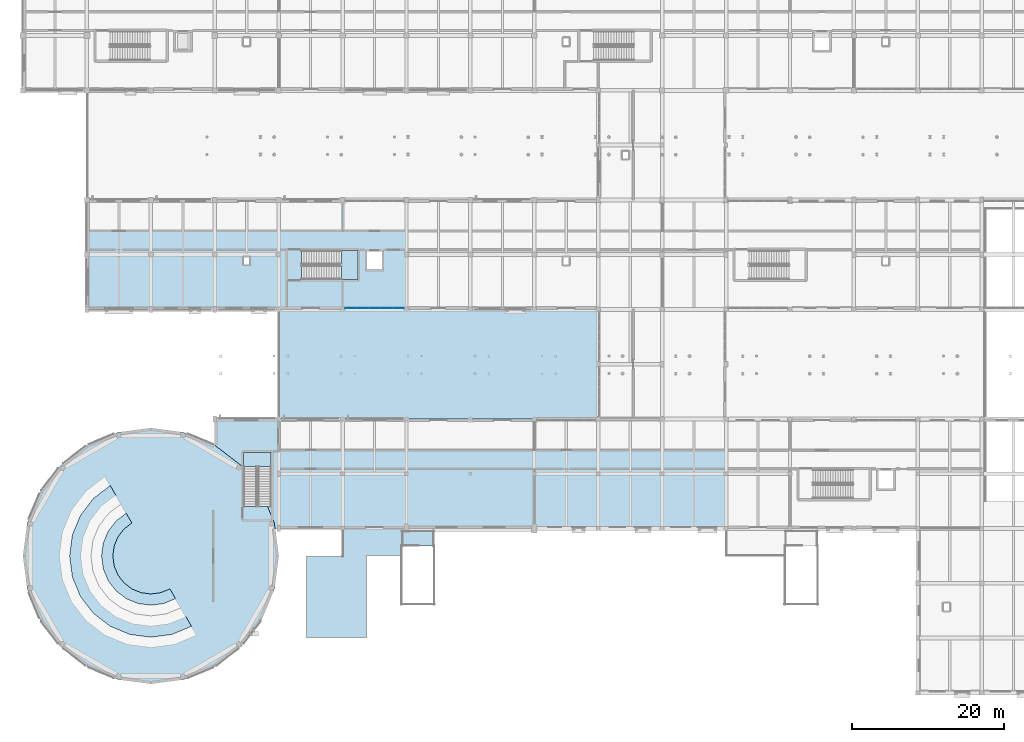
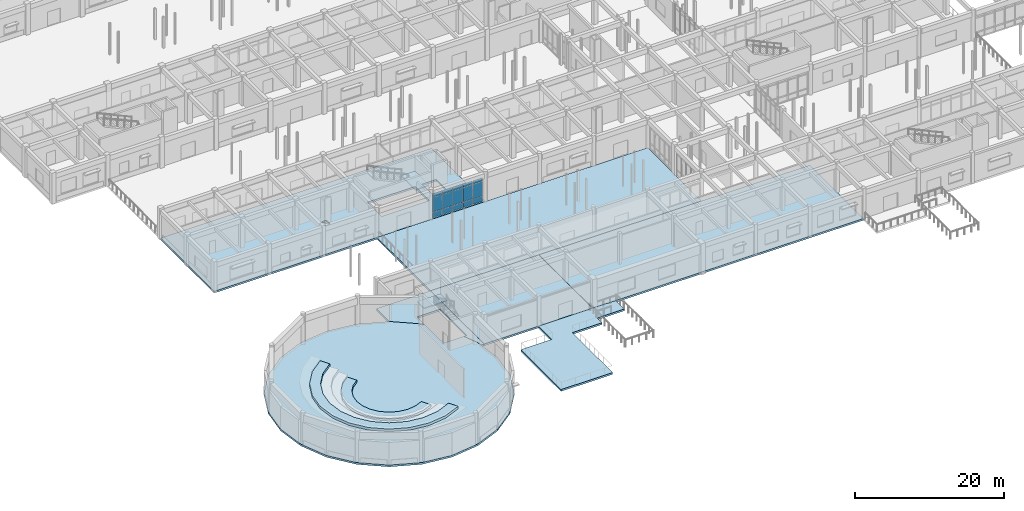
# One storey, part 64 of 121: 15 plates, 11 slabs, 3 elements without a shape of their own.
"""IFC4 building model written with IfcOpenShell, lengths in metres."""

import ifcopenshell
import ifcopenshell.guid

model = None  # the IFC model being written
_history = None  # IfcOwnerHistory: only IFC2X3 demands one
_inside = {}  # id of a spatial element -> (the spatial element, [elements in it])
_under = {}  # id of a project, library or spatial element -> (it, [spatial elements below it])
_declared = {}  # id of a project -> (the project, [libraries it declares])
_typed = {}  # id of a type object -> (the type object, [elements of that type])
_made_of = {}  # id of a material, layer set ... -> (it, [elements and type objects made of it])


def new_model(schema):
    """Start an empty IFC model of exactly this schema.

    Asked for "IFC4X3", IfcOpenShell would pick the latest addendum, in which some entities
    have other attributes; the version numbers below select the first issue.
    IFC2X3 requires an IfcOwnerHistory on every rooted entity: one is made here for all.
    """
    global model, _history
    if schema == "IFC4X3":
        model = ifcopenshell.file(schema_version=(4, 3, 0, 0))
    else:
        model = ifcopenshell.file(schema=schema)
    _inside.clear()
    _under.clear()
    _declared.clear()
    _typed.clear()
    _made_of.clear()
    _history = None
    if model.schema == "IFC2X3":
        org = make("IfcOrganization", Name="unknown")
        user = make(
            "IfcPersonAndOrganization",
            ThePerson=make("IfcPerson", FamilyName="unknown"),
            TheOrganization=org,
        )
        app = make(
            "IfcApplication",
            ApplicationDeveloper=org,
            Version="unknown",
            ApplicationFullName="unknown",
            ApplicationIdentifier="unknown",
        )
        _history = make(
            "IfcOwnerHistory",
            OwningUser=user,
            OwningApplication=app,
            ChangeAction="ADDED",
            CreationDate=0,
        )
    return model


def make(cls, **values):
    """One entity of the class cls with the attributes given. An attribute that is None is left unset."""
    return model.create_entity(
        cls, **{name: value for name, value in values.items() if value is not None}
    )


def rooted(cls, **values):
    """An entity with a GlobalId (a new one), such as an element, a storey or a relation."""
    return make(cls, GlobalId=ifcopenshell.guid.new(), OwnerHistory=_history, **values)


def si_unit(unit_type, name, prefix=None):
    """IfcSIUnit, for example si_unit("LENGTHUNIT", "METRE", prefix="MILLI")."""
    return make("IfcSIUnit", UnitType=unit_type, Prefix=prefix, Name=name)


def assignment(units):
    """IfcUnitAssignment: the units of a project."""
    return None if units is None else make("IfcUnitAssignment", Units=units)


def point(xyz):
    """IfcCartesianPoint."""
    return None if xyz is None else make("IfcCartesianPoint", Coordinates=xyz)


def direction(xyz):
    """IfcDirection."""
    return None if xyz is None else make("IfcDirection", DirectionRatios=xyz)


def frame(location, z_axis=None, x_axis=None):
    """IfcAxis2Placement3D, a coordinate frame: its origin and axes. An axis left out is left unset."""
    return make(
        "IfcAxis2Placement3D",
        Location=point(location),
        Axis=direction(z_axis),
        RefDirection=direction(x_axis),
    )


def frame_2d(location, x_axis=None):
    """IfcAxis2Placement2D, a coordinate frame in the plane: its origin and x axis."""
    return make(
        "IfcAxis2Placement2D", Location=point(location), RefDirection=direction(x_axis)
    )


def origin():
    """The frame at (0, 0, 0) with its axes left unset."""
    return frame((0.0, 0.0, 0.0))


def origin_2d():
    """The frame at (0, 0) in the plane with its x axis left unset."""
    return frame_2d((0.0, 0.0))


def place(relative_to, where):
    """IfcLocalPlacement: puts the frame where relative to a parent placement (None: the world)."""
    return make(
        "IfcLocalPlacement", PlacementRelTo=relative_to, RelativePlacement=where
    )


def context(
    kind, dimensions, precision=None, world=None, true_north=None, identifier=None
):
    """IfcGeometricRepresentationContext, for example the 3D "Model" context."""
    return make(
        "IfcGeometricRepresentationContext",
        ContextIdentifier=identifier,
        ContextType=kind,
        CoordinateSpaceDimension=dimensions,
        Precision=precision,
        WorldCoordinateSystem=world,
        TrueNorth=true_north,
    )


def subcontext(parent, identifier, kind, view, scale=None):
    """IfcGeometricRepresentationSubContext, for example "Body" below "Model"."""
    return make(
        "IfcGeometricRepresentationSubContext",
        ContextIdentifier=identifier,
        ContextType=kind,
        ParentContext=parent,
        TargetScale=scale,
        TargetView=view,
    )


def project(units=None, contexts=None):
    """IfcProject with its units and contexts."""
    return rooted(
        "IfcProject",
        Name="project",
        RepresentationContexts=contexts,
        UnitsInContext=assignment(units),
    )


def spatial(cls, under=None, at=None, **own):
    """A site, building, storey or space (cls), placed at a placement, below another one or the project."""
    s = rooted(cls, ObjectPlacement=at, **own)
    if under is not None:
        _under.setdefault(under.id(), (under, []))[1].append(s)
    return s


def polyline(points):
    """IfcPolyline through the points."""
    return make("IfcPolyline", Points=[point(p) for p in points])


def profile(cls, at=None, kind="AREA", **sizes):
    """A parametric profile (cls). Its sizes go by their IFC names, for example OverallWidth=200.0."""
    return make(cls, ProfileType=kind, Position=at, **sizes)


def rectangle(**sizes):
    """IfcRectangleProfileDef."""
    return profile("IfcRectangleProfileDef", **sizes)


def outline(outer, holes=None, kind="AREA"):
    """IfcArbitraryClosedProfileDef: a profile drawn as a closed curve; with holes, ...WithVoids."""
    if holes is None:
        return make("IfcArbitraryClosedProfileDef", ProfileType=kind, OuterCurve=outer)
    return make(
        "IfcArbitraryProfileDefWithVoids",
        ProfileType=kind,
        OuterCurve=outer,
        InnerCurves=holes,
    )


def extrude(swept, where, along, depth):
    """IfcExtrudedAreaSolid: the profile swept, set in the frame where, extruded along a direction by depth."""
    return make(
        "IfcExtrudedAreaSolid",
        SweptArea=swept,
        Position=where,
        ExtrudedDirection=direction(along),
        Depth=depth,
    )


def shape(context_of_items, identifier, shape_type, items):
    """IfcShapeRepresentation: the items that make up one representation, for example the "Body"."""
    return make(
        "IfcShapeRepresentation",
        ContextOfItems=context_of_items,
        RepresentationIdentifier=identifier,
        RepresentationType=shape_type,
        Items=items,
    )


def material(Name=None, Category=None):
    """IfcMaterial."""
    return make("IfcMaterial", Name=Name, Category=Category)


def layer(
    of_material, thickness, ventilated=None, Name=None, Category=None, Priority=None
):
    """IfcMaterialLayer: one layer of a wall or slab, of a material (None: an air gap)."""
    return make(
        "IfcMaterialLayer",
        Material=of_material,
        LayerThickness=thickness,
        IsVentilated=ventilated,
        Name=Name,
        Category=Category,
        Priority=Priority,
    )


def layer_set(layers, Name=None):
    """IfcMaterialLayerSet."""
    return make("IfcMaterialLayerSet", MaterialLayers=layers, LayerSetName=Name)


def made_of(thing, what):
    """Note that an element or type object is made of a material, layer set ...; save() writes the relation."""
    if what is not None:
        _made_of.setdefault(what.id(), (what, []))[1].append(thing)
    return thing


def type_object(cls, material=None, **own):
    """A type object (cls), such as IfcWallType, which elements share."""
    return made_of(rooted(cls, **own), material)


def element(
    cls,
    number,
    at=None,
    inside=None,
    cuts=None,
    type_object=None,
    material=None,
    context=None,
    identifier="Body",
    shape_type=None,
    held_by="IfcProductDefinitionShape",
    body=None,
    shapes=None,
    **own,
):
    """One element of the class cls, such as IfcWall. Its Tag is "e" and its number.

    at: its placement. inside: the storey or other place that contains it. cuts: it is an
    opening in that element (IfcRelVoidsElement). A single representation is given by context,
    identifier, shape_type and body (its items); several are given by shapes. held_by: the class
    of the entity that holds the representations. save() writes the other relations.
    """
    e = rooted(cls, Tag="e%d" % number, ObjectPlacement=at, **own)
    if body is not None:
        shapes = [shape(context, identifier, shape_type, body)]
    if shapes is not None:
        e.Representation = make(held_by, Representations=shapes)
    if inside is not None:
        _inside.setdefault(inside.id(), (inside, []))[1].append(e)
    if cuts is not None:
        rooted(
            "IfcRelVoidsElement", RelatingBuildingElement=cuts, RelatedOpeningElement=e
        )
    if type_object is not None:
        _typed.setdefault(type_object.id(), (type_object, []))[1].append(e)
    return made_of(e, material)


def aggregate(whole, parts):
    """IfcRelAggregates: a whole, such as a stair, and the parts it consists of."""
    return rooted("IfcRelAggregates", RelatingObject=whole, RelatedObjects=parts)


def save(model, path):
    """Write the relations noted so far, then the file.

    IfcRelAggregates (storeys below a building ...), IfcRelContainedInSpatialStructure (elements
    in a storey), IfcRelDefinesByType, IfcRelAssociatesMaterial and IfcRelDeclares: one each for
    every whole, place, type object, material and project.
    """
    for whole, parts in _under.values():
        aggregate(whole, parts)
    for where, things in _inside.values():
        rooted(
            "IfcRelContainedInSpatialStructure",
            RelatedElements=things,
            RelatingStructure=where,
        )
    for kind, things in _typed.values():
        rooted("IfcRelDefinesByType", RelatedObjects=things, RelatingType=kind)
    for what, things in _made_of.values():
        rooted("IfcRelAssociatesMaterial", RelatedObjects=things, RelatingMaterial=what)
    for by, libraries in _declared.values():
        rooted("IfcRelDeclares", RelatingContext=by, RelatedDefinitions=libraries)
    model.write(path)


model = new_model("IFC4")

# Units and contexts
model_context = context("Model", 3, precision=1e-05, world=origin(), true_north=direction((0.0, 1.0)))
body_context = subcontext(model_context, "Body", "Model", "MODEL_VIEW")
ifc_project = project(units=[si_unit("LENGTHUNIT", "METRE"), si_unit("AREAUNIT", "SQUARE_METRE"), si_unit("VOLUMEUNIT", "CUBIC_METRE"), si_unit("PLANEANGLEUNIT", "RADIAN"), si_unit("MASSUNIT", "GRAM", prefix="KILO")], contexts=[model_context])

# Site, building, storey
site_placement = place(None, origin())
site = spatial("IfcSite", under=ifc_project, at=site_placement, CompositionType="ELEMENT")
building_placement = place(site_placement, origin())
building = spatial("IfcBuilding", under=site, at=building_placement, Name="Malvenik Polytechnic", CompositionType="ELEMENT")
storey_placement = place(building_placement, origin())
storey = spatial("IfcBuildingStorey", under=building, at=storey_placement, Name="L00", CompositionType="ELEMENT", Elevation=0.0)

# Curtain wall, plates
ifc_material_1 = material(Name="Anodised aluminium 6060-T6", Category="aluminium")
curtain_wall_type = type_object("IfcCurtainWallType", Name="ARC-CW-CW-01", PredefinedType="NOTDEFINED", material=ifc_material_1)
curtain_wall_placement = place(storey_placement, origin())
curtain_wall = element("IfcCurtainWall", 1, at=curtain_wall_placement, inside=storey, type_object=curtain_wall_type, Name="Unitised Curtain Wall CW-01 L00 #4", PredefinedType="NOTDEFINED")
ifc_material_2 = material(Name="Triple solar-control glazing 8-14-6-14-8", Category="glass")
ifc_layer_1 = layer(ifc_material_2, 0.035888671875)
ifc_layer_set_1 = layer_set([ifc_layer_1], Name="Triple solar-control glazing 8-14-6-14-8")
plate_type_1 = type_object("IfcPlateType", Name="ARC-CWP-CP-GLZ36", PredefinedType="CURTAIN_PANEL", material=ifc_layer_set_1)
plate_1_placement = place(storey_placement, frame((49.306640625, 50.570068359375, 0.97998046875), z_axis=(0.0, 0.0, 1.0), x_axis=(-1.0, 0.0, 0.0)))
plate_1 = element("IfcPlate", 2, at=plate_1_placement, type_object=plate_type_1, Name="CW-01 panel 1.2", PredefinedType="CURTAIN_PANEL", context=body_context, shape_type="SweptSolid", body=[
    extrude(rectangle(XDim=1.470703125, YDim=0.028076171875, at=origin_2d()), origin(), (0.0, 0.0, 1.0), 2.35009765625),
])
plate_2_placement = place(storey_placement, frame((49.306640625, 50.570068359375, 3.389892578125), z_axis=(0.0, 0.0, 1.0), x_axis=(-1.0, 0.0, 0.0)))
plate_2 = element("IfcPlate", 3, at=plate_2_placement, type_object=plate_type_1, Name="CW-01 panel 1.3", PredefinedType="CURTAIN_PANEL", context=body_context, shape_type="SweptSolid", body=[
    extrude(rectangle(XDim=1.470703125, YDim=0.028076171875, at=origin_2d()), origin(), (0.0, 0.0, 1.0), 0.56005859375),
])
plate_3_placement = place(storey_placement, frame((47.7607421875, 50.570068359375, 0.97998046875), z_axis=(0.0, 0.0, 1.0), x_axis=(-1.0, 0.0, 0.0)))
plate_3 = element("IfcPlate", 4, at=plate_3_placement, type_object=plate_type_1, Name="CW-01 panel 2.2", PredefinedType="CURTAIN_PANEL", context=body_context, shape_type="SweptSolid", body=[
    extrude(rectangle(XDim=1.500732421875, YDim=0.028076171875, at=origin_2d()), origin(), (0.0, 0.0, 1.0), 2.35009765625),
])
plate_4_placement = place(storey_placement, frame((47.7607421875, 50.570068359375, 3.389892578125), z_axis=(0.0, 0.0, 1.0), x_axis=(-1.0, 0.0, 0.0)))
plate_4 = element("IfcPlate", 5, at=plate_4_placement, type_object=plate_type_1, Name="CW-01 panel 2.3", PredefinedType="CURTAIN_PANEL", context=body_context, shape_type="SweptSolid", body=[
    extrude(rectangle(XDim=1.500732421875, YDim=0.028076171875, at=origin_2d()), origin(), (0.0, 0.0, 1.0), 0.56005859375),
])
plate_5_placement = place(storey_placement, frame((46.199951171875, 50.570068359375, 0.97998046875), z_axis=(0.0, 0.0, 1.0), x_axis=(-1.0, 0.0, 0.0)))
plate_5 = element("IfcPlate", 6, at=plate_5_placement, type_object=plate_type_1, Name="CW-01 panel 3.2", PredefinedType="CURTAIN_PANEL", context=body_context, shape_type="SweptSolid", body=[
    extrude(rectangle(XDim=1.500732421875, YDim=0.028076171875, at=origin_2d()), origin(), (0.0, 0.0, 1.0), 2.35009765625),
])
plate_6_placement = place(storey_placement, frame((46.199951171875, 50.570068359375, 3.389892578125), z_axis=(0.0, 0.0, 1.0), x_axis=(-1.0, 0.0, 0.0)))
plate_6 = element("IfcPlate", 7, at=plate_6_placement, type_object=plate_type_1, Name="CW-01 panel 3.3", PredefinedType="CURTAIN_PANEL", context=body_context, shape_type="SweptSolid", body=[
    extrude(rectangle(XDim=1.500732421875, YDim=0.028076171875, at=origin_2d()), origin(), (0.0, 0.0, 1.0), 0.56005859375),
])
plate_7_placement = place(storey_placement, frame((44.63916015625, 50.570068359375, 0.97998046875), z_axis=(0.0, 0.0, 1.0), x_axis=(-1.0, 0.0, 0.0)))
plate_7 = element("IfcPlate", 8, at=plate_7_placement, type_object=plate_type_1, Name="CW-01 panel 4.2", PredefinedType="CURTAIN_PANEL", context=body_context, shape_type="SweptSolid", body=[
    extrude(rectangle(XDim=1.500732421875, YDim=0.028076171875, at=origin_2d()), origin(), (0.0, 0.0, 1.0), 2.35009765625),
])
plate_8_placement = place(storey_placement, frame((44.63916015625, 50.570068359375, 3.389892578125), z_axis=(0.0, 0.0, 1.0), x_axis=(-1.0, 0.0, 0.0)))
plate_8 = element("IfcPlate", 9, at=plate_8_placement, type_object=plate_type_1, Name="CW-01 panel 4.3", PredefinedType="CURTAIN_PANEL", context=body_context, shape_type="SweptSolid", body=[
    extrude(rectangle(XDim=1.500732421875, YDim=0.028076171875, at=origin_2d()), origin(), (0.0, 0.0, 1.0), 0.56005859375),
])
plate_9_placement = place(storey_placement, frame((43.093505859375, 50.570068359375, 0.97998046875), z_axis=(0.0, 0.0, 1.0), x_axis=(-1.0, 0.0, 0.0)))
plate_9 = element("IfcPlate", 10, at=plate_9_placement, type_object=plate_type_1, Name="CW-01 panel 5.2", PredefinedType="CURTAIN_PANEL", context=body_context, shape_type="SweptSolid", body=[
    extrude(rectangle(XDim=1.470703125, YDim=0.028076171875, at=origin_2d()), origin(), (0.0, 0.0, 1.0), 2.35009765625),
])
plate_10_placement = place(storey_placement, frame((43.093505859375, 50.570068359375, 3.389892578125), z_axis=(0.0, 0.0, 1.0), x_axis=(-1.0, 0.0, 0.0)))
plate_10 = element("IfcPlate", 11, at=plate_10_placement, type_object=plate_type_1, Name="CW-01 panel 5.3", PredefinedType="CURTAIN_PANEL", context=body_context, shape_type="SweptSolid", body=[
    extrude(rectangle(XDim=1.470703125, YDim=0.028076171875, at=origin_2d()), origin(), (0.0, 0.0, 1.0), 0.56005859375),
])
ifc_material_3 = material(Name="Insulated aluminium spandrel cassette 42mm", Category="aluminium")
ifc_layer_2 = layer(ifc_material_3, 0.0419921875)
ifc_layer_set_2 = layer_set([ifc_layer_2], Name="Insulated aluminium spandrel cassette 42mm")
plate_type_2 = type_object("IfcPlateType", Name="ARC-CWP-CP-SPN42", PredefinedType="CURTAIN_PANEL", material=ifc_layer_set_2)
plate_11_placement = place(storey_placement, frame((49.306640625, 50.570068359375, 0.06005859375), z_axis=(0.0, 0.0, 1.0), x_axis=(-1.0, 0.0, 0.0)))
plate_11 = element("IfcPlate", 12, at=plate_11_placement, type_object=plate_type_2, Name="CW-01 panel 1.1", PredefinedType="CURTAIN_PANEL", context=body_context, shape_type="SweptSolid", body=[
    extrude(rectangle(XDim=1.470703125, YDim=0.028076171875, at=origin_2d()), origin(), (0.0, 0.0, 1.0), 0.860107421875),
])
plate_12_placement = place(storey_placement, frame((47.7607421875, 50.570068359375, 0.06005859375), z_axis=(0.0, 0.0, 1.0), x_axis=(-1.0, 0.0, 0.0)))
plate_12 = element("IfcPlate", 13, at=plate_12_placement, type_object=plate_type_2, Name="CW-01 panel 2.1", PredefinedType="CURTAIN_PANEL", context=body_context, shape_type="SweptSolid", body=[
    extrude(rectangle(XDim=1.500732421875, YDim=0.028076171875, at=origin_2d()), origin(), (0.0, 0.0, 1.0), 0.860107421875),
])
plate_13_placement = place(storey_placement, frame((46.199951171875, 50.570068359375, 0.06005859375), z_axis=(0.0, 0.0, 1.0), x_axis=(-1.0, 0.0, 0.0)))
plate_13 = element("IfcPlate", 14, at=plate_13_placement, type_object=plate_type_2, Name="CW-01 panel 3.1", PredefinedType="CURTAIN_PANEL", context=body_context, shape_type="SweptSolid", body=[
    extrude(rectangle(XDim=1.500732421875, YDim=0.028076171875, at=origin_2d()), origin(), (0.0, 0.0, 1.0), 0.860107421875),
])
plate_14_placement = place(storey_placement, frame((44.63916015625, 50.570068359375, 0.06005859375), z_axis=(0.0, 0.0, 1.0), x_axis=(-1.0, 0.0, 0.0)))
plate_14 = element("IfcPlate", 15, at=plate_14_placement, type_object=plate_type_2, Name="CW-01 panel 4.1", PredefinedType="CURTAIN_PANEL", context=body_context, shape_type="SweptSolid", body=[
    extrude(rectangle(XDim=1.500732421875, YDim=0.028076171875, at=origin_2d()), origin(), (0.0, 0.0, 1.0), 0.860107421875),
])
plate_15_placement = place(storey_placement, frame((43.093505859375, 50.570068359375, 0.06005859375), z_axis=(0.0, 0.0, 1.0), x_axis=(-1.0, 0.0, 0.0)))
plate_15 = element("IfcPlate", 16, at=plate_15_placement, type_object=plate_type_2, Name="CW-01 panel 5.1", PredefinedType="CURTAIN_PANEL", context=body_context, shape_type="SweptSolid", body=[
    extrude(rectangle(XDim=1.470703125, YDim=0.028076171875, at=origin_2d()), origin(), (0.0, 0.0, 1.0), 0.860107421875),
])
aggregate(curtain_wall, [plate_11, plate_1, plate_2, plate_12, plate_3, plate_4, plate_13, plate_5, plate_6, plate_14, plate_7, plate_8, plate_15, plate_9, plate_10])

# Stair, slab
ifc_material_4 = material(Name="Concrete C35/45", Category="concrete")
stair_type_1 = type_object("IfcStairType", Name="ARC-STR-ST-06", PredefinedType="HALF_TURN_STAIR", material=ifc_material_4)
stair_1_placement = place(storey_placement, origin())
stair_1 = element("IfcStair", 17, at=stair_1_placement, inside=storey, type_object=stair_type_1, Name="L00 Escape Stair ST-06", PredefinedType="HALF_TURN_STAIR")
ifc_layer_3 = layer(ifc_material_4, 0.199951171875)
ifc_layer_set_3 = layer_set([ifc_layer_3], Name="Concrete C35/45")
slab_type_1 = type_object("IfcSlabType", Name="ARC-SLB-STLND", PredefinedType="LANDING", material=ifc_layer_set_3)
slab_1_placement = place(storey_placement, frame((0.0, 0.0, 2.35009765625)))
slab_1 = element("IfcSlab", 18, at=slab_1_placement, type_object=slab_type_1, Name="ST-06 landing 1", PredefinedType="LANDING", context=body_context, shape_type="SweptSolid", body=[
    extrude(outline(polyline([(41.8798828125, 54.35009765625), (44.0, 54.35009765625), (44.0, 58.14990234375), (41.8798828125, 58.14990234375), (41.8798828125, 54.35009765625)])), origin(), (0.0, 0.0, 1.0), 0.199951171875),
])
aggregate(stair_1, [slab_1])

stair_type_2 = type_object("IfcStairType", Name="ARC-STR-ST-09", PredefinedType="HALF_TURN_STAIR", material=ifc_material_4)
stair_2_placement = place(storey_placement, origin())
stair_2 = element("IfcStair", 19, at=stair_2_placement, inside=storey, type_object=stair_type_2, Name="L00 Escape Stair ST-09", PredefinedType="HALF_TURN_STAIR")
slab_2_placement = place(storey_placement, frame((0.0, 0.0, 2.35009765625)))
slab_2 = element("IfcSlab", 20, at=slab_2_placement, type_object=slab_type_1, Name="ST-09 landing 1", PredefinedType="LANDING", context=body_context, shape_type="SweptSolid", body=[
    extrude(outline(polyline([(32.60009765625, 29.780029296875), (32.60009765625, 31.60009765625), (29.0, 31.60009765625), (29.0, 29.780029296875), (32.60009765625, 29.780029296875)])), origin(), (0.0, 0.0, 1.0), 0.199951171875),
])
aggregate(stair_2, [slab_2])

# Slabs
ifc_layer_4 = layer(ifc_material_4, 0.300048828125)
ifc_layer_set_4 = layer_set([ifc_layer_4], Name="Concrete C35/45")
slab_type_2 = type_object("IfcSlabType", Name="STR-SLB-FLR-300", PredefinedType="FLOOR", material=ifc_layer_set_4)
slab_3_placement = place(storey_placement, frame((0.0, 0.0, -0.300048828125)))
element("IfcSlab", 21, at=slab_3_placement, inside=storey, type_object=slab_type_2, Name="Structural Slab L00-V3 #24", PredefinedType="FLOOR", context=body_context, shape_type="SweptSolid", body=[
    extrude(outline(polyline([(50.3798828125, 64.800048828125), (50.3798828125, 50.39990234375), (8.39990234375, 50.39990234375), (8.39990234375, 64.800048828125), (50.3798828125, 64.800048828125)]), holes=[polyline([(44.0, 54.35009765625), (44.0, 58.14990234375), (36.617919921875, 58.14990234375), (36.617919921875, 54.35009765625), (44.0, 54.35009765625)]), polyline([(29.75, 57.25), (29.0, 57.25), (29.0, 56.300048828125), (29.75, 56.300048828125), (29.75, 57.25)]), polyline([(47.300048828125, 58.14990234375), (45.10009765625, 58.14990234375), (45.10009765625, 55.550048828125), (47.300048828125, 55.550048828125), (47.300048828125, 58.14990234375)])]), origin(), (0.0, 0.0, 1.0), 0.300048828125),
])
slab_4_placement = place(storey_placement, frame((0.0, 0.0, -0.300048828125)))
element("IfcSlab", 22, at=slab_4_placement, inside=storey, type_object=slab_type_2, Name="Structural Slab L00-V4 #27", PredefinedType="FLOOR", context=body_context, shape_type="SweptSolid", body=[
    extrude(outline(polyline([(50.3798828125, 36.0), (50.3798828125, 21.60009765625), (33.60009765625, 21.60009765625), (33.60009765625, 36.0), (50.3798828125, 36.0)])), origin(), (0.0, 0.0, 1.0), 0.300048828125),
])
slab_5_placement = place(storey_placement, frame((0.0, 0.0, -0.300048828125)))
element("IfcSlab", 23, at=slab_5_placement, inside=storey, type_object=slab_type_2, Name="Structural Slab L00-V4 #28", PredefinedType="FLOOR", context=body_context, shape_type="SweptSolid", body=[
    extrude(outline(polyline([(92.3798828125, 36.0), (92.3798828125, 21.60009765625), (50.419921875, 21.60009765625), (50.419921875, 36.0), (92.3798828125, 36.0)])), origin(), (0.0, 0.0, 1.0), 0.300048828125),
])
slab_6_placement = place(storey_placement, frame((0.0, 0.0, -0.300048828125)))
element("IfcSlab", 24, at=slab_6_placement, inside=storey, type_object=slab_type_2, Name="Structural Slab L00-V6 #35", PredefinedType="FLOOR", context=body_context, shape_type="SweptSolid", body=[
    extrude(outline(polyline([(28.679443359375, 6.12060546875), (25.199951171875, 3.45068359375), (21.148193359375, 1.7724609375), (16.800048828125, 1.199951171875), (12.451904296875, 1.7724609375), (8.39990234375, 3.45068359375), (4.920654296875, 6.12060546875), (2.250732421875, 9.60009765625), (0.572509765625, 13.65185546875), (0.0, 18.0), (0.572509765625, 22.34814453125), (2.250732421875, 26.39990234375), (4.920654296875, 29.87939453125), (8.39990234375, 32.54931640625), (12.451904296875, 34.2275390625), (16.800048828125, 34.800048828125), (21.148193359375, 34.2275390625), (25.199951171875, 32.54931640625), (28.679443359375, 29.87939453125), (29.0, 29.461669921875), (29.0, 24.51806640625), (32.12890625, 24.51806640625), (33.027587890625, 22.34814453125), (33.60009765625, 18.0), (33.027587890625, 13.65185546875), (31.34912109375, 9.60009765625), (28.679443359375, 6.12060546875)])), origin(), (0.0, 0.0, 1.0), 0.300048828125),
])
slab_7_placement = place(storey_placement, frame((0.0, 0.0, -0.300048828125)))
element("IfcSlab", 25, at=slab_7_placement, inside=storey, type_object=slab_type_2, Name="Structural Slab L00-V6-LINK #36", PredefinedType="FLOOR", context=body_context, shape_type="SweptSolid", body=[
    extrude(outline(polyline([(33.027587890625, 22.34814453125), (32.12890625, 24.51806640625), (32.60009765625, 24.51806640625), (32.60009765625, 31.60009765625), (29.0, 31.60009765625), (29.0, 29.461669921875), (28.679443359375, 29.87939453125), (25.199951171875, 32.54931640625), (25.199951171875, 36.0), (33.60009765625, 36.0), (33.60009765625, 21.60009765625), (33.126220703125, 21.60009765625), (33.027587890625, 22.34814453125)])), origin(), (0.0, 0.0, 1.0), 0.300048828125),
])
slab_8_placement = place(storey_placement, frame((0.0, 0.0, -0.300048828125)))
element("IfcSlab", 26, at=slab_8_placement, inside=storey, type_object=slab_type_2, Name="Exterior Terrace Slab L00 #44", PredefinedType="FLOOR", context=body_context, shape_type="SweptSolid", body=[
    extrude(outline(polyline([(33.60009765625, 50.39990234375), (33.6005859375, 50.39990234375), (75.599609375, 50.39990234375), (75.60009765625, 50.39990234375), (75.60009765625, 50.3994140625), (75.60009765625, 36.00048828125), (75.60009765625, 36.0), (75.599609375, 36.0), (33.6005859375, 36.0), (33.60009765625, 36.0), (33.60009765625, 36.00048828125), (33.60009765625, 50.3994140625), (33.60009765625, 50.39990234375)])), origin(), (0.0, 0.0, 1.0), 0.300048828125),
])
slab_9_placement = place(storey_placement, frame((0.0, 0.0, -0.300048828125)))
element("IfcSlab", 27, at=slab_9_placement, inside=storey, type_object=slab_type_2, Name="Exterior Terrace Slab L00 #45", PredefinedType="FLOOR", context=body_context, shape_type="SweptSolid", body=[
    extrude(outline(polyline([(37.199951171875, 18.0), (37.200439453125, 18.0), (41.97998046875, 18.0), (41.98193359375, 18.0), (41.98388671875, 18.00048828125), (41.98583984375, 18.0009765625), (41.98779296875, 18.00146484375), (41.989501953125, 18.00244140625), (41.9912109375, 18.00341796875), (41.99267578125, 18.00439453125), (41.994140625, 18.005859375), (41.99560546875, 18.00732421875), (41.99658203125, 18.0087890625), (41.99755859375, 18.010498046875), (41.99853515625, 18.01220703125), (41.9990234375, 18.01416015625), (41.99951171875, 18.01611328125), (42.0, 18.01806640625), (42.0, 18.02001953125), (42.0, 21.599609375), (42.0, 21.60009765625), (42.00048828125, 21.60009765625), (53.99951171875, 21.60009765625), (54.0, 21.60009765625), (54.0, 21.599609375), (54.0, 19.281982421875), (49.800048828125, 19.281982421875), (49.800048828125, 18.0), (45.219970703125, 18.0), (45.218017578125, 18.0), (45.216064453125, 17.99951171875), (45.214111328125, 17.9990234375), (45.21240234375, 17.99853515625), (45.210693359375, 17.99755859375), (45.208984375, 17.99658203125), (45.207275390625, 17.99560546875), (45.205810546875, 17.994140625), (45.20458984375, 17.99267578125), (45.203369140625, 17.9912109375), (45.202392578125, 17.989501953125), (45.201416015625, 17.98779296875), (45.200927734375, 17.98583984375), (45.200439453125, 17.98388671875), (45.2001953125, 17.98193359375), (45.199951171875, 17.97998046875), (45.199951171875, 7.200439453125), (45.199951171875, 7.199951171875), (45.199462890625, 7.199951171875), (37.200439453125, 7.199951171875), (37.199951171875, 7.199951171875), (37.199951171875, 7.200439453125), (37.199951171875, 17.99951171875), (37.199951171875, 18.0)])), origin(), (0.0, 0.0, 1.0), 0.300048828125),
])
ifc_layer_5 = layer(ifc_material_4, 0.412109375)
ifc_layer_set_5 = layer_set([ifc_layer_5], Name="Concrete C35/45")
slab_type_3 = type_object("IfcSlabType", Name="STR-SLB-TIER-430", PredefinedType="USERDEFINED", material=ifc_layer_set_5)
slab_10_placement = place(storey_placement, origin())
element("IfcSlab", 28, at=slab_10_placement, inside=storey, type_object=slab_type_3, Name="Lecture Amphitheatre Seating Tier L00-1", ObjectType="SEATING TIER", PredefinedType="USERDEFINED", context=body_context, shape_type="SweptSolid", body=[
    extrude(outline(polyline([(13.56005859375, 23.61181640625), (12.218017578125, 22.58203125), (11.188232421875, 21.239990234375), (10.540771484375, 19.677001953125), (10.320068359375, 18.0), (10.540771484375, 16.322998046875), (11.188232421875, 14.760009765625), (12.218017578125, 13.41796875), (13.56005859375, 12.38818359375), (15.122802734375, 11.74072265625), (16.800048828125, 11.52001953125), (18.47705078125, 11.74072265625), (20.0400390625, 12.38818359375), (19.300048828125, 13.669921875), (18.093994140625, 13.17041015625), (16.800048828125, 13.0), (15.505859375, 13.17041015625), (14.300048828125, 13.669921875), (13.264404296875, 14.464599609375), (12.469970703125, 15.5), (11.970458984375, 16.705810546875), (11.800048828125, 18.0), (11.970458984375, 19.294189453125), (12.469970703125, 20.5), (13.264404296875, 21.535400390625), (14.300048828125, 22.330078125), (13.56005859375, 23.61181640625)])), origin(), (0.0, 0.0, 1.0), 0.39990234375),
])
slab_11_placement = place(storey_placement, frame((0.0, 0.0, 1.18798828125)))
element("IfcSlab", 29, at=slab_11_placement, inside=storey, type_object=slab_type_3, Name="Lecture Amphitheatre Seating Tier L00-4", ObjectType="SEATING TIER", PredefinedType="USERDEFINED", context=body_context, shape_type="SweptSolid", body=[
    extrude(outline(polyline([(11.4599609375, 27.249267578125), (9.248046875, 25.552001953125), (7.55078125, 23.340087890625), (6.48388671875, 20.76416015625), (6.1201171875, 18.0), (6.48388671875, 15.23583984375), (7.55078125, 12.659912109375), (9.248046875, 10.447998046875), (11.4599609375, 8.750732421875), (14.035888671875, 7.683837890625), (16.800048828125, 7.320068359375), (19.564208984375, 7.683837890625), (22.139892578125, 8.750732421875), (21.39990234375, 10.03271484375), (19.18115234375, 9.113525390625), (16.800048828125, 8.800048828125), (14.4189453125, 9.113525390625), (12.199951171875, 10.03271484375), (10.294677734375, 11.49462890625), (8.83251953125, 13.39990234375), (7.91357421875, 15.618896484375), (7.60009765625, 18.0), (7.91357421875, 20.381103515625), (8.83251953125, 22.60009765625), (10.294677734375, 24.50537109375), (12.199951171875, 25.96728515625), (11.4599609375, 27.249267578125)])), origin(), (0.0, 0.0, 1.0), 0.412109375),
])

save(model, "model.ifc")
